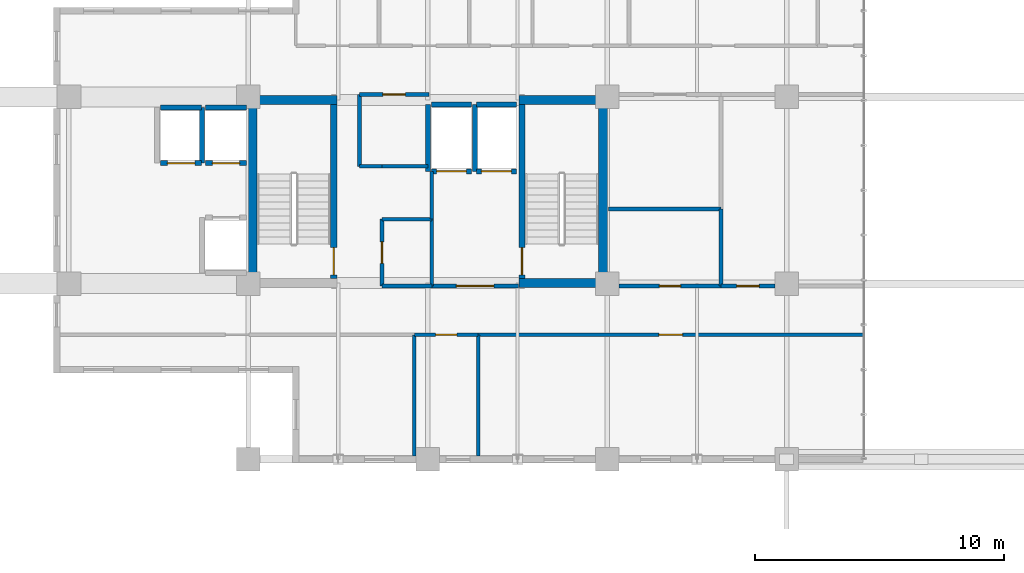
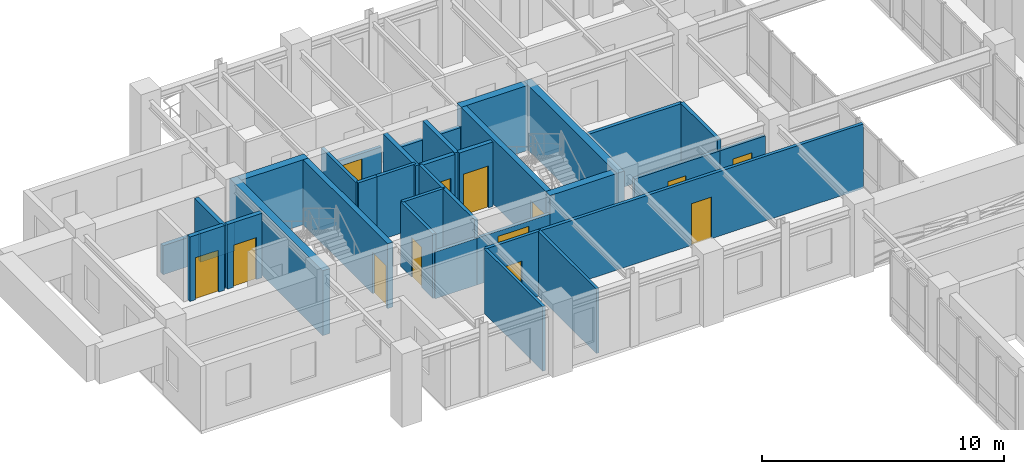
# One storey, part 17 of 23: 36 walls, 13 doors, 13 openings.
"""IFC4 building model written with IfcOpenShell, lengths in metres."""

from ifc_helpers import new_model, si_unit, direction, frame, frame_2d, origin, place, context, subcontext, project, spatial, rectangle, extrude, material, layer, layer_set, type_object, element, fill, save


model = new_model("IFC4")

# Units and contexts
model_context = context("Model", 3, precision=1e-05, world=origin(), true_north=direction((0.0, 1.0)))
body_context = subcontext(model_context, "Body", "Model", "MODEL_VIEW")
ifc_project = project(units=[si_unit("LENGTHUNIT", "METRE"), si_unit("AREAUNIT", "SQUARE_METRE"), si_unit("VOLUMEUNIT", "CUBIC_METRE"), si_unit("PLANEANGLEUNIT", "RADIAN"), si_unit("MASSUNIT", "GRAM", prefix="KILO")], contexts=[model_context])

# Site, building, storey
site_placement = place(None, origin())
site = spatial("IfcSite", under=ifc_project, at=site_placement, CompositionType="ELEMENT")
building_placement = place(site_placement, origin())
building = spatial("IfcBuilding", under=site, at=building_placement, Name="Kaliganga Portal Commons", CompositionType="ELEMENT")
storey_placement = place(building_placement, frame((0.0, 0.0, 246.199951171875)))
storey = spatial("IfcBuildingStorey", under=building, at=storey_placement, Name="L63", CompositionType="ELEMENT", Elevation=246.199951171875)

# Walls
ifc_material_1 = material(Name="Concrete C50/60", Category="concrete")
ifc_layer_1 = layer(ifc_material_1, 0.35009765625)
ifc_layer_set_1 = layer_set([ifc_layer_1], Name="Concrete C50/60")
wall_type_1 = type_object("IfcWallType", Name="WL-CORE-350", PredefinedType="SHEAR", material=ifc_layer_set_1)
for number, where, z_axis, x_axis, name in (
    (1, (14.574951171875, 28.5, 0.0), (0.0, 0.0, 1.0), (0.0, 1.0, 0.0), "Core A West Shear Wall L63"),
    (2, (28.625, 28.5, 0.0), (0.0, 0.0, 1.0), (0.0, 1.0, 0.0), "Core A East Shear Wall L63"),
):
    element("IfcWall", number, at=place(storey_placement, frame(where, z_axis=z_axis, x_axis=x_axis)), inside=storey, type_object=wall_type_1, Name=name, PredefinedType="SHEAR", context=body_context, shape_type="SweptSolid", body=[
        extrude(rectangle(XDim=7.699951171875, YDim=0.35009765625, at=frame_2d((3.85009765625, 0.0))), origin(), (0.0, 0.0, 1.0), 3.280029296875),
    ])
for number, where, z_axis, x_axis, name in (
    (3, (25.25, 28.675048828125, 0.0), (0.0, 0.0, 1.0), (1.0, 0.0, 0.0), "Core A S-East Shear Wall L63"),
    (4, (14.75, 36.02490234375, 0.0), (0.0, 0.0, 1.0), (1.0, 0.0, 0.0), "Core A N-West Shear Wall L63"),
    (5, (25.25, 36.02490234375, 0.0), (0.0, 0.0, 1.0), (1.0, 0.0, 0.0), "Core A N-East Shear Wall L63"),
):
    element("IfcWall", number, at=place(storey_placement, frame(where, z_axis=z_axis, x_axis=x_axis)), inside=storey, type_object=wall_type_1, Name=name, PredefinedType="SHEAR", context=body_context, shape_type="SweptSolid", body=[
        extrude(rectangle(XDim=3.199951171875, YDim=0.35009765625, at=frame_2d((1.60009765625, 0.0))), origin(), (0.0, 0.0, 1.0), 3.280029296875),
    ])

# Wall, opening, door
ifc_material_2 = material(Name="Fire-Rated Gypsum Board on Steel Stud", Category="steel")
ifc_layer_2 = layer(ifc_material_2, 0.14990234375)
ifc_layer_set_2 = layer_set([ifc_layer_2], Name="Fire-Rated Gypsum Board on Steel Stud")
wall_type_2 = type_object("IfcWallType", Name="WL-PART-CORR-150", PredefinedType="PARTITIONING", material=ifc_layer_set_2)
wall_1_placement = place(storey_placement, frame((23.6201171875, 26.60009765625, 0.0), z_axis=(0.0, 0.0, 1.0), x_axis=(1.0, 0.0, 0.0)))
wall_1 = element("IfcWall", 6, at=wall_1_placement, inside=storey, type_object=wall_type_2, Name="Interior Partition L63-001", PredefinedType="PARTITIONING", context=body_context, shape_type="SweptSolid", body=[
    extrude(rectangle(XDim=15.4599609375, YDim=0.14990234375, at=frame_2d((7.72998046875, 0.0))), origin(), (0.0, 0.0, 1.0), 3.260009765625),
])
opening_1_placement = place(wall_1_placement, frame((7.2548828125, 0.0, 0.0)))
opening_1 = element("IfcOpeningElement", 7, at=opening_1_placement, cuts=wall_1, Name="Opening UD-01", PredefinedType="OPENING", context=body_context, shape_type="SweptSolid", body=[
    extrude(rectangle(XDim=0.949951171875, YDim=2.10009765625, at=frame_2d((0.47509765625, 1.050048828125))), frame((0.0, 0.0849609375, 0.0), z_axis=(0.0, -1.0, 0.0), x_axis=(1.0, 0.0, 0.0)), (0.0, 0.0, 1.0), 0.169921875),
])
ifc_material_3 = material(Name="Solid-Core Timber Acoustic Fire Door", Category="wood")
door_type_1 = type_object("IfcDoorType", Name="DR-UNIT-950", OperationType="NOTDEFINED", PredefinedType="DOOR", material=ifc_material_3)
door_1_placement = place(opening_1_placement, origin())
door_1 = element("IfcDoor", 8, at=door_1_placement, inside=storey, type_object=door_type_1, Name="Interior Door L63-AS03", OperationType="SINGLE_SWING_RIGHT", OverallHeight=2.10009765625, OverallWidth=0.949951171875, PredefinedType="DOOR", context=body_context, shape_type="SweptSolid", body=[
    extrude(rectangle(XDim=0.949951171875, YDim=2.10009765625, at=frame_2d((0.47509765625, 1.050048828125))), frame((0.0, 0.02490234375, 0.0), z_axis=(0.0, -1.0, 0.0), x_axis=(1.0, 0.0, 0.0)), (0.0, 0.0, 1.0), 0.050048828125),
])
fill(opening_1, door_1)

wall_2_placement = place(storey_placement, frame((33.360107421875, 28.56005859375, 0.0), z_axis=(0.0, 0.0, 1.0), x_axis=(1.0, 0.0, 0.0)))
wall_2 = element("IfcWall", 9, at=wall_2_placement, inside=storey, type_object=wall_type_2, Name="Interior Partition L63-006", PredefinedType="PARTITIONING", context=body_context, shape_type="SweptSolid", body=[
    extrude(rectangle(XDim=2.164794921875, YDim=0.14990234375, at=frame_2d((1.08251953125, 0.0))), origin(), (0.0, 0.0, 1.0), 2.7099609375),
])
opening_2_placement = place(wall_2_placement, frame((0.632568359375, 0.0, 0.0)))
opening_2 = element("IfcOpeningElement", 10, at=opening_2_placement, cuts=wall_2, Name="Opening RD-01", PredefinedType="OPENING", context=body_context, shape_type="SweptSolid", body=[
    extrude(rectangle(XDim=0.89990234375, YDim=2.080078125, at=frame_2d((0.449951171875, 1.0400390625))), frame((0.0, 0.0849609375, 0.0), z_axis=(0.0, -1.0, 0.0), x_axis=(1.0, 0.0, 0.0)), (0.0, 0.0, 1.0), 0.169921875),
])
ifc_material_4 = material(Name="Engineered Timber Flush Door", Category="wood")
door_type_2 = type_object("IfcDoorType", Name="DR-ROOM-900", OperationType="NOTDEFINED", PredefinedType="DOOR", material=ifc_material_4)
door_2_placement = place(opening_2_placement, origin())
door_2 = element("IfcDoor", 11, at=door_2_placement, inside=storey, type_object=door_type_2, Name="Interior Door L63-APE01", OperationType="SINGLE_SWING_LEFT", OverallHeight=2.080078125, OverallWidth=0.89990234375, PredefinedType="DOOR", context=body_context, shape_type="SweptSolid", body=[
    extrude(rectangle(XDim=0.89990234375, YDim=2.080078125, at=frame_2d((0.449951171875, 1.0400390625))), frame((0.0, 0.02490234375, 0.0), z_axis=(0.0, -1.0, 0.0), x_axis=(1.0, 0.0, 0.0)), (0.0, 0.0, 1.0), 0.050048828125),
])
fill(opening_2, door_2)

wall_3_placement = place(storey_placement, frame((29.27490234375, 28.56005859375, 0.0), z_axis=(0.0, 0.0, 1.0), x_axis=(1.0, 0.0, 0.0)))
wall_3 = element("IfcWall", 12, at=wall_3_placement, inside=storey, type_object=wall_type_2, Name="Interior Partition L63-010", PredefinedType="PARTITIONING", context=body_context, shape_type="SweptSolid", body=[
    extrude(rectangle(XDim=4.085205078125, YDim=0.14990234375, at=frame_2d((2.04248046875, 0.0))), origin(), (0.0, 0.0, 1.0), 2.7099609375),
])
opening_3_placement = place(wall_3_placement, frame((1.612548828125, 0.0, 0.0)))
opening_3 = element("IfcOpeningElement", 13, at=opening_3_placement, cuts=wall_3, Name="Opening WD-02", PredefinedType="OPENING", context=body_context, shape_type="SweptSolid", body=[
    extrude(rectangle(XDim=0.860107421875, YDim=2.02001953125, at=frame_2d((0.43017578125, 1.010009765625))), frame((0.0, 0.0849609375, 0.0), z_axis=(0.0, -1.0, 0.0), x_axis=(1.0, 0.0, 0.0)), (0.0, 0.0, 1.0), 0.169921875),
])
ifc_material_5 = material(Name="Fire-Rated Utility Closet Door", Category="wood")
door_type_3 = type_object("IfcDoorType", Name="DR-STORE-800", OperationType="NOTDEFINED", PredefinedType="DOOR", material=ifc_material_5)
door_3_placement = place(opening_3_placement, origin())
door_3 = element("IfcDoor", 14, at=door_3_placement, inside=storey, type_object=door_type_3, Name="Interior Door L63-CSRV_A1", OperationType="SINGLE_SWING_RIGHT", OverallHeight=2.02001953125, OverallWidth=0.860107421875, PredefinedType="DOOR", context=body_context, shape_type="SweptSolid", body=[
    extrude(rectangle(XDim=0.860107421875, YDim=2.02001953125, at=frame_2d((0.43017578125, 1.010009765625))), frame((0.0, 0.02490234375, 0.0), z_axis=(0.0, -1.0, 0.0), x_axis=(1.0, 0.0, 0.0)), (0.0, 0.0, 1.0), 0.050048828125),
])
fill(opening_3, door_3)

# Wall
wall_4_placement = place(storey_placement, frame((18.860107421875, 33.360107421875, 0.0), z_axis=(0.0, 0.0, 1.0), x_axis=(0.0, 1.0, 0.0)))
element("IfcWall", 15, at=wall_4_placement, inside=storey, type_object=wall_type_2, Name="Interior Partition L63-025", PredefinedType="PARTITIONING", context=body_context, shape_type="SweptSolid", body=[
    extrude(rectangle(XDim=2.8798828125, YDim=0.14990234375, at=frame_2d((1.43994140625, 0.0))), origin(), (0.0, 0.0, 1.0), 3.260009765625),
])

# Wall, opening, door
wall_5_placement = place(storey_placement, frame((18.860107421875, 36.239990234375, 0.0), z_axis=(0.0, 0.0, 1.0), x_axis=(1.0, 0.0, 0.0)))
wall_5 = element("IfcWall", 16, at=wall_5_placement, inside=storey, type_object=wall_type_2, Name="Interior Partition L63-026", PredefinedType="PARTITIONING", context=body_context, shape_type="SweptSolid", body=[
    extrude(rectangle(XDim=2.77978515625, YDim=0.14990234375, at=frame_2d((1.389892578125, 0.0))), origin(), (0.0, 0.0, 1.0), 2.360107421875),
])
opening_4_placement = place(wall_5_placement, frame((0.93994140625, 0.0, 0.0)))
opening_4 = element("IfcOpeningElement", 17, at=opening_4_placement, cuts=wall_5, Name="Opening RD-01", PredefinedType="OPENING", context=body_context, shape_type="SweptSolid", body=[
    extrude(rectangle(XDim=0.89990234375, YDim=2.080078125, at=frame_2d((0.449951171875, 1.0400390625))), frame((0.0, 0.0849609375, 0.0), z_axis=(0.0, -1.0, 0.0), x_axis=(1.0, 0.0, 0.0)), (0.0, 0.0, 1.0), 0.169921875),
])
door_4_placement = place(opening_4_placement, origin())
door_4 = element("IfcDoor", 18, at=door_4_placement, inside=storey, type_object=door_type_2, Name="Interior Door L63-CREC_A1", OperationType="SINGLE_SWING_RIGHT", OverallHeight=2.080078125, OverallWidth=0.89990234375, PredefinedType="DOOR", context=body_context, shape_type="SweptSolid", body=[
    extrude(rectangle(XDim=0.89990234375, YDim=2.080078125, at=frame_2d((0.449951171875, 1.0400390625))), frame((0.0, 0.02490234375, 0.0), z_axis=(0.0, -1.0, 0.0), x_axis=(1.0, 0.0, 0.0)), (0.0, 0.0, 1.0), 0.050048828125),
])
fill(opening_4, door_4)

wall_6_placement = place(storey_placement, frame((19.760009765625, 28.56005859375, 0.0), z_axis=(0.0, 0.0, 1.0), x_axis=(0.0, 1.0, 0.0)))
wall_6 = element("IfcWall", 19, at=wall_6_placement, inside=storey, type_object=wall_type_2, Name="Interior Partition L63-027", PredefinedType="PARTITIONING", context=body_context, shape_type="SweptSolid", body=[
    extrude(rectangle(XDim=2.679931640625, YDim=0.14990234375, at=frame_2d((1.33984375, 0.0))), origin(), (0.0, 0.0, 1.0), 3.260009765625),
])
opening_5_placement = place(wall_6_placement, frame((0.909912109375, 0.0, 0.0)))
opening_5 = element("IfcOpeningElement", 20, at=opening_5_placement, cuts=wall_6, Name="Opening WD-02", PredefinedType="OPENING", context=body_context, shape_type="SweptSolid", body=[
    extrude(rectangle(XDim=0.860107421875, YDim=2.02001953125, at=frame_2d((0.43017578125, 1.010009765625))), frame((0.0, 0.0849609375, 0.0), z_axis=(0.0, -1.0, 0.0), x_axis=(1.0, 0.0, 0.0)), (0.0, 0.0, 1.0), 0.169921875),
])
door_5_placement = place(opening_5_placement, origin())
door_5 = element("IfcDoor", 21, at=door_5_placement, inside=storey, type_object=door_type_3, Name="Interior Door L63-CIN_A1", OperationType="SINGLE_SWING_LEFT", OverallHeight=2.02001953125, OverallWidth=0.860107421875, PredefinedType="DOOR", context=body_context, shape_type="SweptSolid", body=[
    extrude(rectangle(XDim=0.860107421875, YDim=2.02001953125, at=frame_2d((0.43017578125, 1.010009765625))), frame((0.0, 0.02490234375, 0.0), z_axis=(0.0, -1.0, 0.0), x_axis=(1.0, 0.0, 0.0)), (0.0, 0.0, 1.0), 0.050048828125),
])
fill(opening_5, door_5)

# Wall
wall_7_placement = place(storey_placement, frame((21.760009765625, 28.56005859375, 0.0), z_axis=(0.0, 0.0, 1.0), x_axis=(0.0, 1.0, 0.0)))
element("IfcWall", 22, at=wall_7_placement, inside=storey, type_object=wall_type_2, Name="Interior Partition L63-028", PredefinedType="PARTITIONING", context=body_context, shape_type="SweptSolid", body=[
    extrude(rectangle(XDim=2.679931640625, YDim=0.14990234375, at=frame_2d((1.33984375, 0.0))), origin(), (0.0, 0.0, 1.0), 3.260009765625),
])

# Wall, opening, door
wall_8_placement = place(storey_placement, frame((21.06005859375, 26.60009765625, 0.0), z_axis=(0.0, 0.0, 1.0), x_axis=(1.0, 0.0, 0.0)))
wall_8 = element("IfcWall", 23, at=wall_8_placement, inside=storey, type_object=wall_type_2, Name="Interior Partition L63-029", PredefinedType="PARTITIONING", context=body_context, shape_type="SweptSolid", body=[
    extrude(rectangle(XDim=2.56005859375, YDim=0.14990234375, at=frame_2d((1.280029296875, 0.0))), origin(), (0.0, 0.0, 1.0), 3.260009765625),
])
opening_6_placement = place(wall_8_placement, frame((0.85498046875, 0.0, 0.0)))
opening_6 = element("IfcOpeningElement", 24, at=opening_6_placement, cuts=wall_8, Name="Opening WD-01", PredefinedType="OPENING", context=body_context, shape_type="SweptSolid", body=[
    extrude(rectangle(XDim=0.85009765625, YDim=2.0400390625, at=frame_2d((0.425048828125, 1.02001953125))), frame((0.0, 0.0849609375, 0.0), z_axis=(0.0, -1.0, 0.0), x_axis=(1.0, 0.0, 0.0)), (0.0, 0.0, 1.0), 0.169921875),
])
ifc_material_6 = material(Name="Moisture-Resistant Laminate Timber Door", Category="wood")
door_type_4 = type_object("IfcDoorType", Name="DR-WET-850", OperationType="NOTDEFINED", PredefinedType="DOOR", material=ifc_material_6)
door_6_placement = place(opening_6_placement, origin())
door_6 = element("IfcDoor", 25, at=door_6_placement, inside=storey, type_object=door_type_4, Name="Interior Door L63-AS02", OperationType="SINGLE_SWING_RIGHT", OverallHeight=2.0400390625, OverallWidth=0.85009765625, PredefinedType="DOOR", context=body_context, shape_type="SweptSolid", body=[
    extrude(rectangle(XDim=0.85009765625, YDim=2.0400390625, at=frame_2d((0.425048828125, 1.02001953125))), frame((0.0, 0.02490234375, 0.0), z_axis=(0.0, -1.0, 0.0), x_axis=(1.0, 0.0, 0.0)), (0.0, 0.0, 1.0), 0.050048828125),
])
fill(opening_6, door_6)

# Walls
wall_9_placement = place(storey_placement, frame((19.760009765625, 28.56005859375, 0.0), z_axis=(0.0, 0.0, 1.0), x_axis=(1.0, 0.0, 0.0)))
element("IfcWall", 26, at=wall_9_placement, inside=storey, type_object=wall_type_2, Name="Interior Partition L63-032", PredefinedType="PARTITIONING", context=body_context, shape_type="SweptSolid", body=[
    extrude(rectangle(XDim=2.0, YDim=0.14990234375, at=frame_2d((1.0, 0.0))), origin(), (0.0, 0.0, 1.0), 2.360107421875),
])
wall_10_placement = place(storey_placement, frame((19.760009765625, 31.239990234375, 0.0), z_axis=(0.0, 0.0, 1.0), x_axis=(1.0, 0.0, 0.0)))
element("IfcWall", 27, at=wall_10_placement, inside=storey, type_object=wall_type_2, Name="Interior Partition L63-033", PredefinedType="PARTITIONING", context=body_context, shape_type="SweptSolid", body=[
    extrude(rectangle(XDim=2.0, YDim=0.14990234375, at=frame_2d((1.0, 0.0))), origin(), (0.0, 0.0, 1.0), 3.260009765625),
])
wall_11_placement = place(storey_placement, frame((19.760009765625, 33.360107421875, 0.0), z_axis=(0.0, 0.0, 1.0), x_axis=(1.0, 0.0, 0.0)))
element("IfcWall", 28, at=wall_11_placement, inside=storey, type_object=wall_type_2, Name="Interior Partition L63-034", PredefinedType="PARTITIONING", context=body_context, shape_type="SweptSolid", body=[
    extrude(rectangle(XDim=1.85009765625, YDim=0.14990234375, at=frame_2d((0.925048828125, 0.0))), origin(), (0.0, 0.0, 1.0), 3.260009765625),
])
wall_12_placement = place(storey_placement, frame((18.860107421875, 33.360107421875, 0.0), z_axis=(0.0, 0.0, 1.0), x_axis=(1.0, 0.0, 0.0)))
element("IfcWall", 29, at=wall_12_placement, inside=storey, type_object=wall_type_2, Name="Interior Partition L63-040", PredefinedType="PARTITIONING", context=body_context, shape_type="SweptSolid", body=[
    extrude(rectangle(XDim=0.89990234375, YDim=0.14990234375, at=frame_2d((0.449951171875, 0.0))), origin(), (0.0, 0.0, 1.0), 3.260009765625),
])

# Wall, opening, door
wall_13_placement = place(storey_placement, frame((21.760009765625, 28.56005859375, 0.0), z_axis=(0.0, 0.0, 1.0), x_axis=(1.0, 0.0, 0.0)))
wall_13 = element("IfcWall", 30, at=wall_13_placement, inside=storey, type_object=wall_type_2, Name="Interior Partition L63-058", PredefinedType="PARTITIONING", context=body_context, shape_type="SweptSolid", body=[
    extrude(rectangle(XDim=3.47998046875, YDim=0.14990234375, at=frame_2d((1.739990234375, 0.0))), origin(), (0.0, 0.0, 1.0), 2.360107421875),
])
opening_7_placement = place(wall_13_placement, frame((0.989990234375, 0.0, 0.0)))
opening_7 = element("IfcOpeningElement", 31, at=opening_7_placement, cuts=wall_13, Name="Opening FD-01", PredefinedType="OPENING", context=body_context, shape_type="SweptSolid", body=[
    extrude(rectangle(XDim=1.5, YDim=2.10009765625, at=frame_2d((0.75, 1.050048828125))), frame((0.0, 0.0849609375, 0.0), z_axis=(0.0, -1.0, 0.0), x_axis=(1.0, 0.0, 0.0)), (0.0, 0.0, 1.0), 0.169921875),
])
ifc_material_7 = material(Name="Fire-Rated Hardwood and Georgian-Wired Vision Panel", Category="wood")
door_type_5 = type_object("IfcDoorType", Name="DR-LOBBY-1500", OperationType="DOUBLE_DOOR_SINGLE_SWING", PredefinedType="DOOR", material=ifc_material_7)
door_7_placement = place(opening_7_placement, origin())
door_7 = element("IfcDoor", 32, at=door_7_placement, inside=storey, type_object=door_type_5, Name="Interior Door L63-FFLOB_A", OperationType="DOUBLE_DOOR_SINGLE_SWING", OverallHeight=2.10009765625, OverallWidth=1.5, PredefinedType="DOOR", context=body_context, shape_type="SweptSolid", body=[
    extrude(rectangle(XDim=1.5, YDim=2.10009765625, at=frame_2d((0.75, 1.050048828125))), frame((0.0, 0.02490234375, 0.0), z_axis=(0.0, -1.0, 0.0), x_axis=(1.0, 0.0, 0.0)), (0.0, 0.0, 1.0), 0.050048828125),
])
fill(opening_7, door_7)

# Walls
wall_14_placement = place(storey_placement, frame((21.760009765625, 31.239990234375, 0.0), z_axis=(0.0, 0.0, 1.0), x_axis=(0.0, 1.0, 0.0)))
element("IfcWall", 33, at=wall_14_placement, inside=storey, type_object=wall_type_2, Name="Interior Partition L63-060", PredefinedType="PARTITIONING", context=body_context, shape_type="SweptSolid", body=[
    extrude(rectangle(XDim=1.919921875, YDim=0.14990234375, at=frame_2d((0.9599609375, 0.0))), origin(), (0.0, 0.0, 1.0), 3.260009765625),
])
ifc_material_8 = material(Name="Twin-Stud Acoustic Gypsum Partition", Category="gypsum")
ifc_layer_3 = layer(ifc_material_8, 0.1650390625)
ifc_layer_set_3 = layer_set([ifc_layer_3], Name="Twin-Stud Acoustic Gypsum Partition")
wall_type_3 = type_object("IfcWallType", Name="WL-PART-UNIT-165", PredefinedType="PARTITIONING", material=ifc_layer_set_3)
wall_15_placement = place(storey_placement, frame((28.840087890625, 31.639892578125, 0.0), z_axis=(0.0, 0.0, 1.0), x_axis=(1.0, 0.0, 0.0)))
element("IfcWall", 34, at=wall_15_placement, inside=storey, type_object=wall_type_3, Name="Interior Partition L63-056", PredefinedType="PARTITIONING", context=body_context, shape_type="SweptSolid", body=[
    extrude(rectangle(XDim=4.52001953125, YDim=0.1650390625, at=frame_2d((2.260009765625, 0.0))), origin(), (0.0, 0.0, 1.0), 3.260009765625),
])
wall_16_placement = place(storey_placement, frame((33.360107421875, 28.56005859375, 0.0), z_axis=(0.0, 0.0, 1.0), x_axis=(0.0, 1.0, 0.0)))
element("IfcWall", 35, at=wall_16_placement, inside=storey, type_object=wall_type_3, Name="Interior Partition L63-059", PredefinedType="PARTITIONING", context=body_context, shape_type="SweptSolid", body=[
    extrude(rectangle(XDim=3.079833984375, YDim=0.1650390625, at=frame_2d((1.5400390625, 0.0))), origin(), (0.0, 0.0, 1.0), 3.260009765625),
])
ifc_material_9 = material(Name="Cement-Board Wet-Room Partition", Category="gypsum")
ifc_layer_4 = layer(ifc_material_9, 0.135009765625)
ifc_layer_set_4 = layer_set([ifc_layer_4], Name="Cement-Board Wet-Room Partition")
wall_type_4 = type_object("IfcWallType", Name="WL-PART-WET-135", PredefinedType="PARTITIONING", material=ifc_layer_set_4)
for number, where, z_axis, x_axis, name in (
    (36, (21.06005859375, 21.73193359375, 0.0), (0.0, 0.0, 1.0), (0.0, 1.0, 0.0), "Interior Partition L63-049"),
    (37, (23.6201171875, 21.73193359375, 0.0), (0.0, 0.0, 1.0), (0.0, 1.0, 0.0), "Interior Partition L63-051"),
):
    element("IfcWall", number, at=place(storey_placement, frame(where, z_axis=z_axis, x_axis=x_axis)), inside=storey, type_object=wall_type_4, Name=name, PredefinedType="PARTITIONING", context=body_context, shape_type="SweptSolid", body=[
        extrude(rectangle(XDim=4.8681640625, YDim=0.135009765625, at=frame_2d((2.43408203125, 0.0))), origin(), (0.0, 0.0, 1.0), 3.260009765625),
    ])

# Wall, opening, door
ifc_material_10 = material(Name="Fire-Rated Shaftwall Masonry Assembly", Category="masonry")
ifc_layer_5 = layer(ifc_material_10, 0.199951171875)
ifc_layer_set_5 = layer_set([ifc_layer_5], Name="Fire-Rated Shaftwall Masonry Assembly")
wall_type_5 = type_object("IfcWallType", Name="WL-SHAFT-200", PredefinedType="PARTITIONING", material=ifc_layer_set_5)
wall_17_placement = place(storey_placement, frame((12.675048828125, 33.485107421875, 0.0), z_axis=(0.0, 0.0, 1.0), x_axis=(1.0, 0.0, 0.0)))
wall_17 = element("IfcWall", 38, at=wall_17_placement, inside=storey, type_object=wall_type_5, Name="Lift PL-A3 Hoistway Shaft Wall L63-S", PredefinedType="PARTITIONING", context=body_context, shape_type="SweptSolid", body=[
    extrude(rectangle(XDim=1.64990234375, YDim=0.199951171875, at=frame_2d((0.824951171875, 0.0))), origin(), (0.0, 0.0, 1.0), 3.260009765625),
])
opening_8_placement = place(wall_17_placement, frame((0.27490234375, 0.0, 0.0)))
opening_8 = element("IfcOpeningElement", 39, at=opening_8_placement, cuts=wall_17, Name="Opening LD-01", PredefinedType="OPENING", context=body_context, shape_type="SweptSolid", body=[
    extrude(rectangle(XDim=1.10009765625, YDim=2.1201171875, at=frame_2d((0.550048828125, 1.06005859375))), frame((0.0, 0.10986328125, 0.0), z_axis=(0.0, -1.0, 0.0), x_axis=(1.0, 0.0, 0.0)), (0.0, 0.0, 1.0), 0.219970703125),
])
ifc_material_11 = material(Name="Brushed Stainless Steel 316 Lift Landing Door", Category="steel")
door_type_6 = type_object("IfcDoorType", Name="DR-LIFT-1100", OperationType="SLIDING_TO_LEFT", PredefinedType="DOOR", material=ifc_material_11)
door_8_placement = place(opening_8_placement, origin())
door_8 = element("IfcDoor", 40, at=door_8_placement, inside=storey, type_object=door_type_6, Name="Lift PL-A3 Sliding Landing Door L63", OperationType="SLIDING_TO_LEFT", OverallHeight=2.1201171875, OverallWidth=1.10009765625, PredefinedType="DOOR", context=body_context, shape_type="SweptSolid", body=[
    extrude(rectangle(XDim=1.10009765625, YDim=2.1201171875, at=frame_2d((0.550048828125, 1.06005859375))), frame((0.0, 0.02490234375, 0.0), z_axis=(0.0, -1.0, 0.0), x_axis=(1.0, 0.0, 0.0)), (0.0, 0.0, 1.0), 0.050048828125),
])
fill(opening_8, door_8)

# Walls
wall_18_placement = place(storey_placement, frame((12.675048828125, 35.715087890625, 0.0), z_axis=(0.0, 0.0, 1.0), x_axis=(1.0, 0.0, 0.0)))
element("IfcWall", 41, at=wall_18_placement, inside=storey, type_object=wall_type_5, Name="Lift PL-A3 Hoistway Shaft Wall L63-N", PredefinedType="PARTITIONING", context=body_context, shape_type="SweptSolid", body=[
    extrude(rectangle(XDim=1.64990234375, YDim=0.199951171875, at=frame_2d((0.824951171875, 0.0))), origin(), (0.0, 0.0, 1.0), 1.4599609375),
])
wall_19_placement = place(storey_placement, frame((12.534912109375, 33.485107421875, 0.0), z_axis=(0.0, 0.0, 1.0), x_axis=(0.0, 1.0, 0.0)))
element("IfcWall", 42, at=wall_19_placement, inside=storey, type_object=wall_type_5, Name="Lift PL-A3 Hoistway Shaft Wall L63-W", PredefinedType="PARTITIONING", context=body_context, shape_type="SweptSolid", body=[
    extrude(rectangle(XDim=2.22998046875, YDim=0.199951171875, at=frame_2d((1.114990234375, 0.0))), origin(), (0.0, 0.0, 1.0), 3.260009765625),
])

# Wall, opening, door
wall_20_placement = place(storey_placement, frame((10.875, 33.485107421875, 0.0), z_axis=(0.0, 0.0, 1.0), x_axis=(1.0, 0.0, 0.0)))
wall_20 = element("IfcWall", 43, at=wall_20_placement, inside=storey, type_object=wall_type_5, Name="Lift PL-OBS Hoistway Shaft Wall L63-S", PredefinedType="PARTITIONING", context=body_context, shape_type="SweptSolid", body=[
    extrude(rectangle(XDim=1.64990234375, YDim=0.199951171875, at=frame_2d((0.824951171875, 0.0))), origin(), (0.0, 0.0, 1.0), 3.260009765625),
])
opening_9_placement = place(wall_20_placement, frame((0.27490234375, 0.0, 0.0)))
opening_9 = element("IfcOpeningElement", 44, at=opening_9_placement, cuts=wall_20, Name="Opening LD-01", PredefinedType="OPENING", context=body_context, shape_type="SweptSolid", body=[
    extrude(rectangle(XDim=1.10009765625, YDim=2.1201171875, at=frame_2d((0.550048828125, 1.06005859375))), frame((0.0, 0.10986328125, 0.0), z_axis=(0.0, -1.0, 0.0), x_axis=(1.0, 0.0, 0.0)), (0.0, 0.0, 1.0), 0.219970703125),
])
door_9_placement = place(opening_9_placement, origin())
door_9 = element("IfcDoor", 45, at=door_9_placement, inside=storey, type_object=door_type_6, Name="Lift PL-OBS Sliding Landing Door L63", OperationType="SLIDING_TO_LEFT", OverallHeight=2.1201171875, OverallWidth=1.10009765625, PredefinedType="DOOR", context=body_context, shape_type="SweptSolid", body=[
    extrude(rectangle(XDim=1.10009765625, YDim=2.1201171875, at=frame_2d((0.550048828125, 1.06005859375))), frame((0.0, 0.02490234375, 0.0), z_axis=(0.0, -1.0, 0.0), x_axis=(1.0, 0.0, 0.0)), (0.0, 0.0, 1.0), 0.050048828125),
])
fill(opening_9, door_9)

# Wall
wall_21_placement = place(storey_placement, frame((10.875, 35.715087890625, 0.0), z_axis=(0.0, 0.0, 1.0), x_axis=(1.0, 0.0, 0.0)))
element("IfcWall", 46, at=wall_21_placement, inside=storey, type_object=wall_type_5, Name="Lift PL-OBS Hoistway Shaft Wall L63-N", PredefinedType="PARTITIONING", context=body_context, shape_type="SweptSolid", body=[
    extrude(rectangle(XDim=1.64990234375, YDim=0.199951171875, at=frame_2d((0.824951171875, 0.0))), origin(), (0.0, 0.0, 1.0), 1.4599609375),
])

# Wall, opening, door
wall_22_placement = place(storey_placement, frame((21.75, 33.159912109375, 0.0), z_axis=(0.0, 0.0, 1.0), x_axis=(1.0, 0.0, 0.0)))
wall_22 = element("IfcWall", 47, at=wall_22_placement, inside=storey, type_object=wall_type_5, Name="Lift FFL-1 Hoistway Shaft Wall L63-S", PredefinedType="PARTITIONING", context=body_context, shape_type="SweptSolid", body=[
    extrude(rectangle(XDim=1.60009765625, YDim=0.199951171875, at=frame_2d((0.800048828125, 0.0))), origin(), (0.0, 0.0, 1.0), 3.260009765625),
])
opening_10_placement = place(wall_22_placement, frame((0.199951171875, 0.0, 0.0)))
opening_10 = element("IfcOpeningElement", 48, at=opening_10_placement, cuts=wall_22, Name="Opening LD-02", PredefinedType="OPENING", context=body_context, shape_type="SweptSolid", body=[
    extrude(rectangle(XDim=1.199951171875, YDim=2.1201171875, at=frame_2d((0.60009765625, 1.06005859375))), frame((0.0, 0.10986328125, 0.0), z_axis=(0.0, -1.0, 0.0), x_axis=(1.0, 0.0, 0.0)), (0.0, 0.0, 1.0), 0.219970703125),
])
ifc_material_12 = material(Name="Brushed Stainless Steel 316 Stretcher Lift Landing Door", Category="steel")
door_type_7 = type_object("IfcDoorType", Name="DR-LIFT-1200", OperationType="SLIDING_TO_RIGHT", PredefinedType="DOOR", material=ifc_material_12)
door_10_placement = place(opening_10_placement, origin())
door_10 = element("IfcDoor", 49, at=door_10_placement, inside=storey, type_object=door_type_7, Name="Lift FFL-1 Sliding Landing Door L63", OperationType="SLIDING_TO_RIGHT", OverallHeight=2.1201171875, OverallWidth=1.199951171875, PredefinedType="DOOR", context=body_context, shape_type="SweptSolid", body=[
    extrude(rectangle(XDim=1.199951171875, YDim=2.1201171875, at=frame_2d((0.60009765625, 1.06005859375))), frame((0.0, 0.02490234375, 0.0), z_axis=(0.0, -1.0, 0.0), x_axis=(1.0, 0.0, 0.0)), (0.0, 0.0, 1.0), 0.050048828125),
])
fill(opening_10, door_10)

# Walls
wall_23_placement = place(storey_placement, frame((21.75, 35.840087890625, 0.0), z_axis=(0.0, 0.0, 1.0), x_axis=(1.0, 0.0, 0.0)))
element("IfcWall", 50, at=wall_23_placement, inside=storey, type_object=wall_type_5, Name="Lift FFL-1 Hoistway Shaft Wall L63-N", PredefinedType="PARTITIONING", context=body_context, shape_type="SweptSolid", body=[
    extrude(rectangle(XDim=1.60009765625, YDim=0.199951171875, at=frame_2d((0.800048828125, 0.0))), origin(), (0.0, 0.0, 1.0), 2.360107421875),
])
for number, where, z_axis, x_axis, name in (
    (51, (21.610107421875, 33.159912109375, 0.0), (0.0, 0.0, 1.0), (0.0, 1.0, 0.0), "Lift FFL-1 Hoistway Shaft Wall L63-W"),
    (52, (23.489990234375, 33.159912109375, 0.0), (0.0, 0.0, 1.0), (0.0, 1.0, 0.0), "Lift FFL-1 Hoistway Shaft Wall L63-E"),
):
    element("IfcWall", number, at=place(storey_placement, frame(where, z_axis=z_axis, x_axis=x_axis)), inside=storey, type_object=wall_type_5, Name=name, PredefinedType="PARTITIONING", context=body_context, shape_type="SweptSolid", body=[
        extrude(rectangle(XDim=2.68017578125, YDim=0.199951171875, at=frame_2d((1.340087890625, 0.0))), origin(), (0.0, 0.0, 1.0), 3.260009765625),
    ])

# Wall, opening, door
wall_24_placement = place(storey_placement, frame((23.550048828125, 33.159912109375, 0.0), z_axis=(0.0, 0.0, 1.0), x_axis=(1.0, 0.0, 0.0)))
wall_24 = element("IfcWall", 53, at=wall_24_placement, inside=storey, type_object=wall_type_5, Name="Lift FFL-2 Hoistway Shaft Wall L63-S", PredefinedType="PARTITIONING", context=body_context, shape_type="SweptSolid", body=[
    extrude(rectangle(XDim=1.599853515625, YDim=0.199951171875, at=frame_2d((0.7998046875, 0.0))), origin(), (0.0, 0.0, 1.0), 3.260009765625),
])
opening_11_placement = place(wall_24_placement, frame((0.199951171875, 0.0, 0.0)))
opening_11 = element("IfcOpeningElement", 54, at=opening_11_placement, cuts=wall_24, Name="Opening LD-02", PredefinedType="OPENING", context=body_context, shape_type="SweptSolid", body=[
    extrude(rectangle(XDim=1.199951171875, YDim=2.1201171875, at=frame_2d((0.60009765625, 1.06005859375))), frame((0.0, 0.10986328125, 0.0), z_axis=(0.0, -1.0, 0.0), x_axis=(1.0, 0.0, 0.0)), (0.0, 0.0, 1.0), 0.219970703125),
])
door_11_placement = place(opening_11_placement, origin())
door_11 = element("IfcDoor", 55, at=door_11_placement, inside=storey, type_object=door_type_7, Name="Lift FFL-2 Sliding Landing Door L63", OperationType="SLIDING_TO_RIGHT", OverallHeight=2.1201171875, OverallWidth=1.199951171875, PredefinedType="DOOR", context=body_context, shape_type="SweptSolid", body=[
    extrude(rectangle(XDim=1.199951171875, YDim=2.1201171875, at=frame_2d((0.60009765625, 1.06005859375))), frame((0.0, 0.02490234375, 0.0), z_axis=(0.0, -1.0, 0.0), x_axis=(1.0, 0.0, 0.0)), (0.0, 0.0, 1.0), 0.050048828125),
])
fill(opening_11, door_11)

# Wall
wall_25_placement = place(storey_placement, frame((23.550048828125, 35.840087890625, 0.0), z_axis=(0.0, 0.0, 1.0), x_axis=(1.0, 0.0, 0.0)))
element("IfcWall", 56, at=wall_25_placement, inside=storey, type_object=wall_type_5, Name="Lift FFL-2 Hoistway Shaft Wall L63-N", PredefinedType="PARTITIONING", context=body_context, shape_type="SweptSolid", body=[
    extrude(rectangle(XDim=1.599853515625, YDim=0.199951171875, at=frame_2d((0.7998046875, 0.0))), origin(), (0.0, 0.0, 1.0), 2.360107421875),
])

# Wall, opening, door
ifc_layer_6 = layer(ifc_material_1, 0.25)
ifc_layer_set_6 = layer_set([ifc_layer_6], Name="Concrete C50/60")
wall_type_6 = type_object("IfcWallType", Name="WL-STAIR-250", PredefinedType="SHEAR", material=ifc_layer_set_6)
wall_26_placement = place(storey_placement, frame((17.824951171875, 28.85009765625, 0.0), z_axis=(0.0, 0.0, 1.0), x_axis=(0.0, 1.0, 0.0)))
wall_26 = element("IfcWall", 57, at=wall_26_placement, inside=storey, type_object=wall_type_6, Name="Stair A1 Enclosure Shear Wall L63", PredefinedType="SHEAR", context=body_context, shape_type="SweptSolid", body=[
    extrude(rectangle(XDim=7.0, YDim=0.25, at=frame_2d((3.5, 0.0))), origin(), (0.0, 0.0, 1.0), 3.280029296875),
])
opening_12_placement = place(wall_26_placement, frame((0.14990234375, 0.0, 0.0)))
opening_12 = element("IfcOpeningElement", 58, at=opening_12_placement, cuts=wall_26, Name="Opening SD-01", PredefinedType="OPENING", context=body_context, shape_type="SweptSolid", body=[
    extrude(rectangle(XDim=1.10009765625, YDim=2.080078125, at=frame_2d((0.550048828125, 1.0400390625))), frame((0.0, 0.135009765625, 0.0), z_axis=(0.0, -1.0, 0.0), x_axis=(1.0, 0.0, 0.0)), (0.0, 0.0, 1.0), 0.27001953125),
])
ifc_material_13 = material(Name="Galvanized Steel Fire Door Leaf and Frame", Category="steel")
door_type_8 = type_object("IfcDoorType", Name="DR-STAIR-1100", OperationType="NOTDEFINED", PredefinedType="DOOR", material=ifc_material_13)
door_12_placement = place(opening_12_placement, origin())
door_12 = element("IfcDoor", 59, at=door_12_placement, inside=storey, type_object=door_type_8, Name="Protected Stair ST-A1 Fire Door L63", OperationType="SINGLE_SWING_LEFT", OverallHeight=2.080078125, OverallWidth=1.10009765625, PredefinedType="DOOR", context=body_context, shape_type="SweptSolid", body=[
    extrude(rectangle(XDim=1.10009765625, YDim=2.080078125, at=frame_2d((0.550048828125, 1.0400390625))), frame((0.0, 0.02490234375, 0.0), z_axis=(0.0, -1.0, 0.0), x_axis=(1.0, 0.0, 0.0)), (0.0, 0.0, 1.0), 0.050048828125),
])
fill(opening_12, door_12)

wall_27_placement = place(storey_placement, frame((25.375, 28.85009765625, 0.0), z_axis=(0.0, 0.0, 1.0), x_axis=(0.0, 1.0, 0.0)))
wall_27 = element("IfcWall", 60, at=wall_27_placement, inside=storey, type_object=wall_type_6, Name="Stair A2 Enclosure Shear Wall L63", PredefinedType="SHEAR", context=body_context, shape_type="SweptSolid", body=[
    extrude(rectangle(XDim=7.0, YDim=0.25, at=frame_2d((3.5, 0.0))), origin(), (0.0, 0.0, 1.0), 3.280029296875),
])
opening_13_placement = place(wall_27_placement, frame((0.14990234375, 0.0, 0.0)))
opening_13 = element("IfcOpeningElement", 61, at=opening_13_placement, cuts=wall_27, Name="Opening SD-01", PredefinedType="OPENING", context=body_context, shape_type="SweptSolid", body=[
    extrude(rectangle(XDim=1.10009765625, YDim=2.080078125, at=frame_2d((0.550048828125, 1.0400390625))), frame((0.0, 0.135009765625, 0.0), z_axis=(0.0, -1.0, 0.0), x_axis=(1.0, 0.0, 0.0)), (0.0, 0.0, 1.0), 0.27001953125),
])
door_13_placement = place(opening_13_placement, origin())
door_13 = element("IfcDoor", 62, at=door_13_placement, inside=storey, type_object=door_type_8, Name="Protected Stair ST-A2 Fire Door L63", OperationType="SINGLE_SWING_RIGHT", OverallHeight=2.080078125, OverallWidth=1.10009765625, PredefinedType="DOOR", context=body_context, shape_type="SweptSolid", body=[
    extrude(rectangle(XDim=1.10009765625, YDim=2.080078125, at=frame_2d((0.550048828125, 1.0400390625))), frame((0.0, 0.02490234375, 0.0), z_axis=(0.0, -1.0, 0.0), x_axis=(1.0, 0.0, 0.0)), (0.0, 0.0, 1.0), 0.050048828125),
])
fill(opening_13, door_13)

save(model, "model.ifc")
